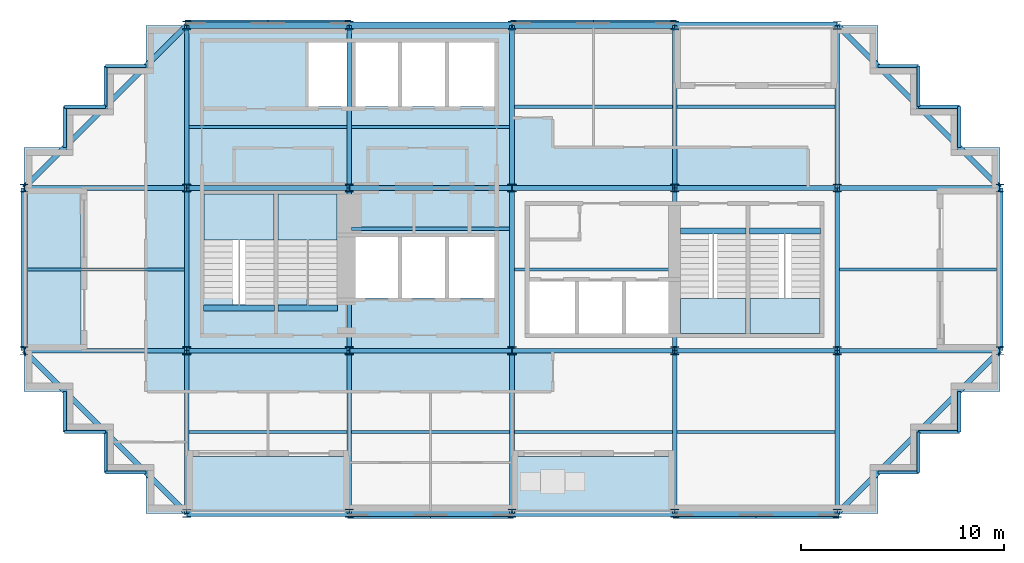
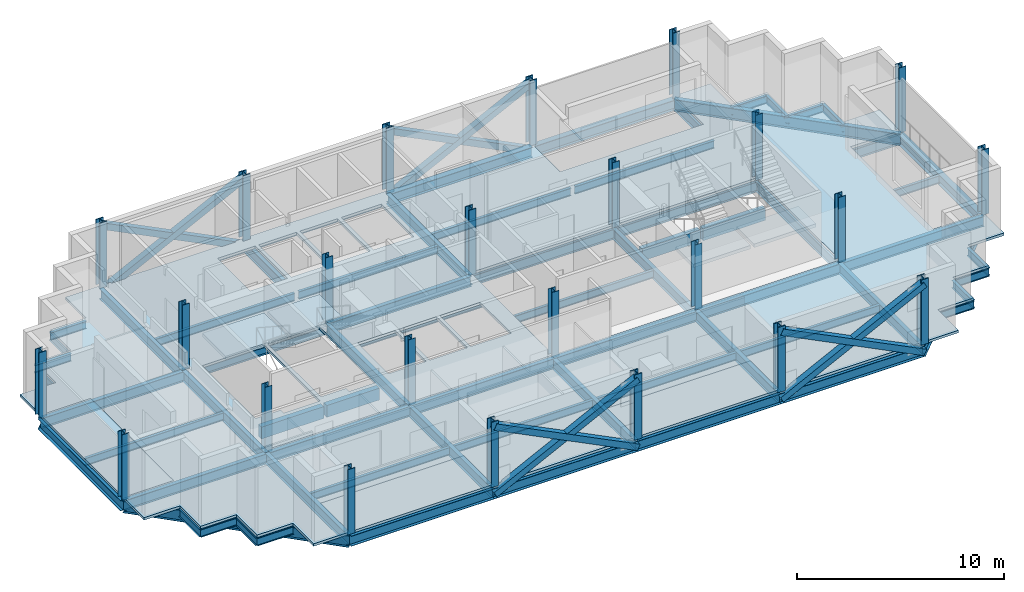
# One storey, part 1 of 8: 73 beams, 24 columns, 9 slabs, 8 members, 4 elements without a shape of their own.
"""IFC4 building model written with IfcOpenShell, lengths in metres."""

from ifc_helpers import new_model, si_unit, direction, frame, origin, origin_2d, place, context, subcontext, project, spatial, polyline, rectangle, hollow_rectangle, i_section, outline, extrude, material, layer, layer_set, material_profile, profile_set, type_object, element, aggregate, save


model = new_model("IFC4")

# Units and contexts
model_context = context("Model", 3, precision=1e-05, world=origin(), true_north=direction((0.0, 1.0)))
body_context = subcontext(model_context, "Body", "Model", "MODEL_VIEW")
ifc_project = project(units=[si_unit("LENGTHUNIT", "METRE"), si_unit("AREAUNIT", "SQUARE_METRE"), si_unit("VOLUMEUNIT", "CUBIC_METRE"), si_unit("PLANEANGLEUNIT", "RADIAN"), si_unit("MASSUNIT", "GRAM", prefix="KILO")], contexts=[model_context])

# Site, building, storey
site_placement = place(None, origin())
site = spatial("IfcSite", under=ifc_project, at=site_placement, CompositionType="ELEMENT")
building_placement = place(site_placement, origin())
building = spatial("IfcBuilding", under=site, at=building_placement, Name="Immortelle Media Tower", CompositionType="ELEMENT")
storey_placement = place(building_placement, frame((0.0, 0.0, 193.0)))
storey = spatial("IfcBuildingStorey", under=building, at=storey_placement, Name="L40", CompositionType="ELEMENT", Elevation=193.0)

# Columns
ifc_material_1 = material(Name="Steel ASTM A992 Gr 50", Category="steel")
ifc_material_profile_1 = material_profile(ifc_material_1, i_section(OverallWidth=0.39404296875, OverallDepth=0.3759765625, WebThickness=0.01708984375, FlangeThickness=0.028076171875, at=origin_2d()), Name="W14x145")
ifc_profile_set_1 = profile_set([ifc_material_profile_1], Name="Steel ASTM A992 Gr 50")
column_type_1 = type_object("IfcColumnType", Name="W14x145 column", PredefinedType="COLUMN", material=ifc_profile_set_1)
for number, where, z_axis, x_axis, name in (
    (1, (8.0, 8.0, 0.0), (0.0, 0.0, 1.0), (1.0, 0.0, 0.0), "Column 2/B"),
    (2, (8.0, 16.0, 0.0), (0.0, 0.0, 1.0), (1.0, 0.0, 0.0), "Column 2/C"),
    (3, (16.0, 8.0, 0.0), (0.0, 0.0, 1.0), (1.0, 0.0, 0.0), "Column 3/B"),
    (4, (16.0, 16.0, 0.0), (0.0, 0.0, 1.0), (1.0, 0.0, 0.0), "Column 3/C"),
    (5, (32.0, 8.0, 0.0), (0.0, 0.0, 1.0), (1.0, 0.0, 0.0), "Column 5/B"),
    (6, (32.0, 16.0, 0.0), (0.0, 0.0, 1.0), (1.0, 0.0, 0.0), "Column 5/C"),
    (7, (40.0, 8.0, 0.0), (0.0, 0.0, 1.0), (1.0, 0.0, 0.0), "Column 6/B"),
    (8, (40.0, 16.0, 0.0), (0.0, 0.0, 1.0), (1.0, 0.0, 0.0), "Column 6/C"),
):
    element("IfcColumn", number, at=place(storey_placement, frame(where, z_axis=z_axis, x_axis=x_axis)), inside=storey, type_object=column_type_1, Name=name, PredefinedType="COLUMN", context=body_context, shape_type="SweptSolid", body=[
        extrude(i_section(OverallWidth=0.39404296875, OverallDepth=0.3759765625, WebThickness=0.01708984375, FlangeThickness=0.028076171875, at=origin_2d()), origin(), (0.0, 0.0, 1.0), 3.85009765625),
    ])
ifc_material_profile_2 = material_profile(ifc_material_1, i_section(OverallWidth=0.39892578125, OverallDepth=0.385986328125, WebThickness=0.02099609375, FlangeThickness=0.032958984375, at=origin_2d()), Name="W14x176")
ifc_profile_set_2 = profile_set([ifc_material_profile_2], Name="Steel ASTM A992 Gr 50")
column_type_2 = type_object("IfcColumnType", Name="W14x176 column", PredefinedType="COLUMN", material=ifc_profile_set_2)
for number, where, z_axis, x_axis, name in (
    (9, (24.0, 8.0, 0.0), (0.0, 0.0, 1.0), (1.0, 0.0, 0.0), "Column 4/B"),
    (10, (24.0, 16.0, 0.0), (0.0, 0.0, 1.0), (1.0, 0.0, 0.0), "Column 4/C"),
):
    element("IfcColumn", number, at=place(storey_placement, frame(where, z_axis=z_axis, x_axis=x_axis)), inside=storey, type_object=column_type_2, Name=name, PredefinedType="COLUMN", context=body_context, shape_type="SweptSolid", body=[
        extrude(i_section(OverallWidth=0.39892578125, OverallDepth=0.385986328125, WebThickness=0.02099609375, FlangeThickness=0.032958984375, at=origin_2d()), origin(), (0.0, 0.0, 1.0), 3.85009765625),
    ])
ifc_material_profile_3 = material_profile(ifc_material_1, i_section(OverallWidth=0.40087890625, OverallDepth=0.39892578125, WebThickness=0.02490234375, FlangeThickness=0.0400390625, at=origin_2d()), Name="W14x211")
ifc_profile_set_3 = profile_set([ifc_material_profile_3], Name="Steel ASTM A992 Gr 50")
column_type_3 = type_object("IfcColumnType", Name="W14x211 column", PredefinedType="COLUMN", material=ifc_profile_set_3)
for number, where, z_axis, x_axis, name in (
    (11, (0.0, 8.0, 0.0), (0.0, 0.0, 1.0), (1.0, 0.0, 0.0), "Column 1/B"),
    (12, (0.0, 16.0, 0.0), (0.0, 0.0, 1.0), (1.0, 0.0, 0.0), "Column 1/C"),
    (13, (8.0, 0.0, 0.0), (0.0, 0.0, 1.0), (1.0, 0.0, 0.0), "Column 2/A"),
    (14, (40.0, 24.0, 0.0), (0.0, 0.0, 1.0), (1.0, 0.0, 0.0), "Column 6/D"),
    (15, (48.0, 8.0, 0.0), (0.0, 0.0, 1.0), (1.0, 0.0, 0.0), "Column 7/B"),
    (16, (48.0, 16.0, 0.0), (0.0, 0.0, 1.0), (1.0, 0.0, 0.0), "Column 7/C"),
):
    element("IfcColumn", number, at=place(storey_placement, frame(where, z_axis=z_axis, x_axis=x_axis)), inside=storey, type_object=column_type_3, Name=name, PredefinedType="COLUMN", context=body_context, shape_type="SweptSolid", body=[
        extrude(i_section(OverallWidth=0.40087890625, OverallDepth=0.39892578125, WebThickness=0.02490234375, FlangeThickness=0.0400390625, at=origin_2d()), origin(), (0.0, 0.0, 1.0), 3.85009765625),
    ])
ifc_material_profile_4 = material_profile(ifc_material_1, i_section(OverallWidth=0.410888671875, OverallDepth=0.43408203125, WebThickness=0.035888671875, FlangeThickness=0.056884765625, at=origin_2d()), Name="W14x311")
ifc_profile_set_4 = profile_set([ifc_material_profile_4], Name="Steel ASTM A992 Gr 50")
column_type_4 = type_object("IfcColumnType", Name="W14x311 column", PredefinedType="COLUMN", material=ifc_profile_set_4)
for number, where, z_axis, x_axis, name in (
    (17, (8.0, 24.0, 0.0), (0.0, 0.0, 1.0), (1.0, 0.0, 0.0), "Column 2/D"),
    (18, (16.0, 0.0, 0.0), (0.0, 0.0, 1.0), (1.0, 0.0, 0.0), "Column 3/A"),
    (19, (16.0, 24.0, 0.0), (0.0, 0.0, 1.0), (1.0, 0.0, 0.0), "Column 3/D"),
    (20, (24.0, 0.0, 0.0), (0.0, 0.0, 1.0), (1.0, 0.0, 0.0), "Column 4/A"),
    (21, (24.0, 24.0, 0.0), (0.0, 0.0, 1.0), (1.0, 0.0, 0.0), "Column 4/D"),
    (22, (32.0, 0.0, 0.0), (0.0, 0.0, 1.0), (1.0, 0.0, 0.0), "Column 5/A"),
    (23, (32.0, 24.0, 0.0), (0.0, 0.0, 1.0), (1.0, 0.0, 0.0), "Column 5/D"),
    (24, (40.0, 0.0, 0.0), (0.0, 0.0, 1.0), (1.0, 0.0, 0.0), "Column 6/A"),
):
    element("IfcColumn", number, at=place(storey_placement, frame(where, z_axis=z_axis, x_axis=x_axis)), inside=storey, type_object=column_type_4, Name=name, PredefinedType="COLUMN", context=body_context, shape_type="SweptSolid", body=[
        extrude(i_section(OverallWidth=0.410888671875, OverallDepth=0.43408203125, WebThickness=0.035888671875, FlangeThickness=0.056884765625, at=origin_2d()), origin(), (0.0, 0.0, 1.0), 3.85009765625),
    ])

# Members
ifc_material_2 = material(Name="Steel ASTM A500 Gr C", Category="steel")
ifc_material_profile_5 = material_profile(ifc_material_2, hollow_rectangle(XDim=0.35595703125, YDim=0.35595703125, WallThickness=0.011962890625, at=origin_2d()), Name="HSS14x14x1/2 brace")
ifc_profile_set_5 = profile_set([ifc_material_profile_5], Name="Steel ASTM A500 Gr C")
member_type = type_object("IfcMemberType", Name="HSS14x14x1/2 brace", PredefinedType="BRACE", material=ifc_profile_set_5)
for number, where, z_axis, x_axis, name in (
    (25, (16.0, -0.087890625, -0.4560546875), (0.894427191, 0.0, 0.4472135955), (0.0, 1.0, 0.0), "Brace A/3-4 A"),
    (26, (16.0, -0.087890625, 3.5439453125), (0.894427191, 0.0, -0.4472135955), (0.0, 1.0, 0.0), "Brace A/3-4 B"),
    (27, (32.0, -0.087890625, -0.4560546875), (0.894427191, 0.0, 0.4472135955), (0.0, 1.0, 0.0), "Brace A/5-6 A"),
    (28, (32.0, -0.087890625, 3.5439453125), (0.894427191, 0.0, -0.4472135955), (0.0, 1.0, 0.0), "Brace A/5-6 B"),
    (29, (32.0, 24.087890625, -0.4560546875), (-0.894427191, 0.0, 0.4472135955), (0.0, -1.0, 0.0), "Brace D/4-5 A"),
    (30, (32.0, 24.087890625, 3.5439453125), (-0.894427191, 0.0, -0.4472135955), (0.0, -1.0, 0.0), "Brace D/4-5 B"),
    (31, (16.0, 24.087890625, -0.4560546875), (-0.894427191, 0.0, 0.4472135955), (0.0, -1.0, 0.0), "Brace D/2-3 A"),
    (32, (16.0, 24.087890625, 3.5439453125), (-0.894427191, 0.0, -0.4472135955), (0.0, -1.0, 0.0), "Brace D/2-3 B"),
):
    element("IfcMember", number, at=place(storey_placement, frame(where, z_axis=z_axis, x_axis=x_axis)), inside=storey, type_object=member_type, Name=name, PredefinedType="BRACE", context=body_context, shape_type="SweptSolid", body=[
        extrude(hollow_rectangle(XDim=0.35595703125, YDim=0.35595703125, WallThickness=0.011962890625, at=origin_2d()), origin(), (0.0, 0.0, 1.0), 8.9443359375),
    ])

# Beams
ifc_material_3 = material(Name="Concrete C50/60", Category="concrete")
ifc_material_profile_6 = material_profile(ifc_material_3, rectangle(XDim=0.300048828125, YDim=0.699951171875, at=origin_2d()), Name="RC 300x700")
ifc_profile_set_6 = profile_set([ifc_material_profile_6], Name="Concrete C50/60")
beam_type_1 = type_object("IfcBeamType", Name="Stair trimmer beam 300 x 700", PredefinedType="BEAM", material=ifc_profile_set_6)
beam_1_placement = place(storey_placement, frame((8.830078125, 10.10498046875, -0.5), z_axis=(1.0, 0.0, 0.0), x_axis=(0.0, 1.0, 0.0)))
element("IfcBeam", 33, at=beam_1_placement, inside=storey, type_object=beam_type_1, Name="Stair trimmer beam SW1", PredefinedType="BEAM", context=body_context, shape_type="SweptSolid", body=[
    extrude(rectangle(XDim=0.300048828125, YDim=0.699951171875, at=origin_2d()), origin(), (0.0, 0.0, 1.0), 3.489990234375),
])
beam_2_placement = place(storey_placement, frame((12.47998046875, 10.10498046875, -0.5), z_axis=(1.0, 0.0, 0.0), x_axis=(0.0, 1.0, 0.0)))
element("IfcBeam", 34, at=beam_2_placement, inside=storey, type_object=beam_type_1, Name="Stair trimmer beam SW2", PredefinedType="BEAM", context=body_context, shape_type="SweptSolid", body=[
    extrude(rectangle(XDim=0.300048828125, YDim=0.699951171875, at=origin_2d()), origin(), (0.0, 0.0, 1.0), 2.93994140625),
])
beam_3_placement = place(storey_placement, frame((32.280029296875, 13.89501953125, -0.5), z_axis=(1.0, 0.0, 0.0), x_axis=(0.0, 1.0, 0.0)))
element("IfcBeam", 35, at=beam_3_placement, inside=storey, type_object=beam_type_1, Name="Stair trimmer beam SE1", PredefinedType="BEAM", context=body_context, shape_type="SweptSolid", body=[
    extrude(rectangle(XDim=0.300048828125, YDim=0.699951171875, at=origin_2d()), origin(), (0.0, 0.0, 1.0), 3.239990234375),
])
beam_4_placement = place(storey_placement, frame((35.679931640625, 13.89501953125, -0.5), z_axis=(1.0, 0.0, 0.0), x_axis=(0.0, 1.0, 0.0)))
element("IfcBeam", 36, at=beam_4_placement, inside=storey, type_object=beam_type_1, Name="Stair trimmer beam SE2", PredefinedType="BEAM", context=body_context, shape_type="SweptSolid", body=[
    extrude(rectangle(XDim=0.300048828125, YDim=0.699951171875, at=origin_2d()), origin(), (0.0, 0.0, 1.0), 3.489990234375),
])
ifc_material_profile_7 = material_profile(ifc_material_1, i_section(OverallWidth=0.153076171875, OverallDepth=0.455078125, WebThickness=0.008056640625, FlangeThickness=0.012939453125, at=origin_2d()), Name="W18x40")
ifc_profile_set_7 = profile_set([ifc_material_profile_7], Name="Steel ASTM A992 Gr 50")
beam_type_2 = type_object("IfcBeamType", Name="W18x40 secondary beam", PredefinedType="JOIST", material=ifc_profile_set_7)
for number, where, z_axis, x_axis, name in (
    (37, (8.114013671875, 4.0, -0.37744140625), (1.0, 0.0, 0.0), (0.0, 1.0, 0.0), "Beam A-B/2-3"),
    (38, (16.114013671875, 4.0, -0.37744140625), (1.0, 0.0, 0.0), (0.0, 1.0, 0.0), "Beam A-B/3-4"),
    (39, (24.114013671875, 4.0, -0.37744140625), (1.0, 0.0, 0.0), (0.0, 1.0, 0.0), "Beam A-B/4-5"),
    (40, (32.114013671875, 4.0, -0.37744140625), (1.0, 0.0, 0.0), (0.0, 1.0, 0.0), "Beam A-B/5-6"),
):
    element("IfcBeam", number, at=place(storey_placement, frame(where, z_axis=z_axis, x_axis=x_axis)), inside=storey, type_object=beam_type_2, Name=name, PredefinedType="JOIST", context=body_context, shape_type="SweptSolid", body=[
        extrude(i_section(OverallWidth=0.153076171875, OverallDepth=0.455078125, WebThickness=0.008056640625, FlangeThickness=0.012939453125, at=origin_2d()), origin(), (0.0, 0.0, 1.0), 7.77197265625),
    ])
beam_5_placement = place(storey_placement, frame((0.162109375, 12.0, -0.37744140625), z_axis=(1.0, 0.0, 0.0), x_axis=(0.0, 1.0, 0.0)))
element("IfcBeam", 41, at=beam_5_placement, inside=storey, type_object=beam_type_2, Name="Beam B-C/1-2", PredefinedType="JOIST", context=body_context, shape_type="SweptSolid", body=[
    extrude(i_section(OverallWidth=0.153076171875, OverallDepth=0.455078125, WebThickness=0.008056640625, FlangeThickness=0.012939453125, at=origin_2d()), origin(), (0.0, 0.0, 1.0), 7.723876953125),
])
for number, where, z_axis, x_axis, name in (
    (42, (16.114013671875, 14.0, -0.37744140625), (1.0, 0.0, 0.0), (0.0, 1.0, 0.0), "Beam B-C/3-4"),
    (43, (24.114013671875, 12.0, -0.37744140625), (1.0, 0.0, 0.0), (0.0, 1.0, 0.0), "Beam B-C/4-5"),
):
    element("IfcBeam", number, at=place(storey_placement, frame(where, z_axis=z_axis, x_axis=x_axis)), inside=storey, type_object=beam_type_2, Name=name, PredefinedType="JOIST", context=body_context, shape_type="SweptSolid", body=[
        extrude(i_section(OverallWidth=0.153076171875, OverallDepth=0.455078125, WebThickness=0.008056640625, FlangeThickness=0.012939453125, at=origin_2d()), origin(), (0.0, 0.0, 1.0), 7.77197265625),
    ])
beam_6_placement = place(storey_placement, frame((40.114013671875, 12.0, -0.37744140625), z_axis=(1.0, 0.0, 0.0), x_axis=(0.0, 1.0, 0.0)))
element("IfcBeam", 44, at=beam_6_placement, inside=storey, type_object=beam_type_2, Name="Beam B-C/6-7", PredefinedType="JOIST", context=body_context, shape_type="SweptSolid", body=[
    extrude(i_section(OverallWidth=0.153076171875, OverallDepth=0.455078125, WebThickness=0.008056640625, FlangeThickness=0.012939453125, at=origin_2d()), origin(), (0.0, 0.0, 1.0), 7.723876953125),
])
for number, where, z_axis, x_axis, name in (
    (45, (8.114013671875, 19.0, -0.37744140625), (1.0, 0.0, 0.0), (0.0, 1.0, 0.0), "Beam C-D/2-3"),
    (46, (16.114013671875, 19.0, -0.37744140625), (1.0, 0.0, 0.0), (0.0, 1.0, 0.0), "Beam C-D/3-4"),
    (47, (24.114013671875, 20.0, -0.37744140625), (1.0, 0.0, 0.0), (0.0, 1.0, 0.0), "Beam C-D/4-5"),
    (48, (32.114013671875, 20.0, -0.37744140625), (1.0, 0.0, 0.0), (0.0, 1.0, 0.0), "Beam C-D/5-6"),
):
    element("IfcBeam", number, at=place(storey_placement, frame(where, z_axis=z_axis, x_axis=x_axis)), inside=storey, type_object=beam_type_2, Name=name, PredefinedType="JOIST", context=body_context, shape_type="SweptSolid", body=[
        extrude(i_section(OverallWidth=0.153076171875, OverallDepth=0.455078125, WebThickness=0.008056640625, FlangeThickness=0.012939453125, at=origin_2d()), origin(), (0.0, 0.0, 1.0), 7.77197265625),
    ])
ifc_material_profile_8 = material_profile(ifc_material_1, i_section(OverallWidth=0.153076171875, OverallDepth=0.455078125, WebThickness=0.008056640625, FlangeThickness=0.012939453125, at=origin_2d()), Name="W18x40")
ifc_profile_set_8 = profile_set([ifc_material_profile_8], Name="Steel ASTM A992 Gr 50")
beam_type_3 = type_object("IfcBeamType", Name="W18x40 serration edge beam", PredefinedType="SPANDREL", material=ifc_profile_set_8)
for number, where, z_axis, x_axis, name in (
    (49, (6.0, 2.0, -0.37744140625), (-1.0, 0.0, 0.0), (0.0, -1.0, 0.0), "Corner edge beam 1 at 1/A"),
    (50, (4.0, 2.0, -0.37744140625), (0.0, 1.0, 0.0), (-1.0, 0.0, 0.0), "Corner edge beam 2 at 1/A"),
    (51, (4.0, 4.0, -0.37744140625), (-1.0, 0.0, 0.0), (0.0, -1.0, 0.0), "Corner edge beam 3 at 1/A"),
    (52, (2.0, 4.0, -0.37744140625), (0.0, 1.0, 0.0), (-1.0, 0.0, 0.0), "Corner edge beam 4 at 1/A"),
    (53, (2.0, 18.0, -0.37744140625), (0.0, 1.0, 0.0), (-1.0, 0.0, 0.0), "Corner edge beam 1 at 1/D"),
    (54, (2.0, 20.0, -0.37744140625), (1.0, 0.0, 0.0), (0.0, 1.0, 0.0), "Corner edge beam 2 at 1/D"),
    (55, (4.0, 20.0, -0.37744140625), (0.0, 1.0, 0.0), (-1.0, 0.0, 0.0), "Corner edge beam 3 at 1/D"),
    (56, (4.0, 22.0, -0.37744140625), (1.0, 0.0, 0.0), (0.0, 1.0, 0.0), "Corner edge beam 4 at 1/D"),
    (57, (46.0, 6.0, -0.37744140625), (0.0, -1.0, 0.0), (1.0, 0.0, 0.0), "Corner edge beam 1 at 7/A"),
    (58, (46.0, 4.0, -0.37744140625), (-1.0, 0.0, 0.0), (0.0, -1.0, 0.0), "Corner edge beam 2 at 7/A"),
    (59, (44.0, 4.0, -0.37744140625), (0.0, -1.0, 0.0), (1.0, 0.0, 0.0), "Corner edge beam 3 at 7/A"),
    (60, (44.0, 2.0, -0.37744140625), (-1.0, 0.0, 0.0), (0.0, -1.0, 0.0), "Corner edge beam 4 at 7/A"),
    (61, (42.0, 22.0, -0.37744140625), (1.0, 0.0, 0.0), (0.0, 1.0, 0.0), "Corner edge beam 1 at 7/D"),
    (62, (44.0, 22.0, -0.37744140625), (0.0, -1.0, 0.0), (1.0, 0.0, 0.0), "Corner edge beam 2 at 7/D"),
    (63, (44.0, 20.0, -0.37744140625), (1.0, 0.0, 0.0), (0.0, 1.0, 0.0), "Corner edge beam 3 at 7/D"),
    (64, (46.0, 20.0, -0.37744140625), (0.0, -1.0, 0.0), (1.0, 0.0, 0.0), "Corner edge beam 4 at 7/D"),
):
    element("IfcBeam", number, at=place(storey_placement, frame(where, z_axis=z_axis, x_axis=x_axis)), inside=storey, type_object=beam_type_3, Name=name, PredefinedType="SPANDREL", context=body_context, shape_type="SweptSolid", body=[
        extrude(i_section(OverallWidth=0.153076171875, OverallDepth=0.455078125, WebThickness=0.008056640625, FlangeThickness=0.012939453125, at=origin_2d()), origin(), (0.0, 0.0, 1.0), 2.0),
    ])
ifc_material_profile_9 = material_profile(ifc_material_1, i_section(OverallWidth=0.323974609375, OverallDepth=0.612060546875, WebThickness=0.012939453125, FlangeThickness=0.01904296875, at=origin_2d()), Name="W24x104")
ifc_profile_set_9 = profile_set([ifc_material_profile_9], Name="Steel ASTM A992 Gr 50")
beam_type_4 = type_object("IfcBeamType", Name="W24x104 perimeter girder", PredefinedType="SPANDREL", material=ifc_profile_set_9)
for number, where, z_axis, x_axis, name in (
    (65, (0.0, 8.0, -0.4560546875), (0.0, 1.0, 0.0), (-1.0, 0.0, 0.0), "Girder 1/B-C"),
    (66, (8.0, 0.0, -0.4560546875), (1.0, 0.0, 0.0), (0.0, 1.0, 0.0), "Girder A/2-3"),
    (67, (8.0, 24.0, -0.4560546875), (1.0, 0.0, 0.0), (0.0, 1.0, 0.0), "Girder D/2-3"),
    (68, (16.0, 0.0, -0.4560546875), (1.0, 0.0, 0.0), (0.0, 1.0, 0.0), "Girder A/3-4"),
    (69, (16.0, 24.0, -0.4560546875), (1.0, 0.0, 0.0), (0.0, 1.0, 0.0), "Girder D/3-4"),
    (70, (24.0, 0.0, -0.4560546875), (1.0, 0.0, 0.0), (0.0, 1.0, 0.0), "Girder A/4-5"),
    (71, (24.0, 24.0, -0.4560546875), (1.0, 0.0, 0.0), (0.0, 1.0, 0.0), "Girder D/4-5"),
    (72, (32.0, 0.0, -0.4560546875), (1.0, 0.0, 0.0), (0.0, 1.0, 0.0), "Girder A/5-6"),
    (73, (32.0, 24.0, -0.4560546875), (1.0, 0.0, 0.0), (0.0, 1.0, 0.0), "Girder D/5-6"),
    (74, (48.0, 8.0, -0.4560546875), (0.0, 1.0, 0.0), (-1.0, 0.0, 0.0), "Girder 7/B-C"),
):
    element("IfcBeam", number, at=place(storey_placement, frame(where, z_axis=z_axis, x_axis=x_axis)), inside=storey, type_object=beam_type_4, Name=name, PredefinedType="SPANDREL", context=body_context, shape_type="SweptSolid", body=[
        extrude(i_section(OverallWidth=0.323974609375, OverallDepth=0.612060546875, WebThickness=0.012939453125, FlangeThickness=0.01904296875, at=origin_2d()), origin(), (0.0, 0.0, 1.0), 8.0),
    ])
ifc_material_profile_10 = material_profile(ifc_material_1, i_section(OverallWidth=0.22802734375, OverallDepth=0.60205078125, WebThickness=0.010986328125, FlangeThickness=0.014892578125, at=origin_2d()), Name="W24x68")
ifc_profile_set_10 = profile_set([ifc_material_profile_10], Name="Steel ASTM A992 Gr 50")
beam_type_5 = type_object("IfcBeamType", Name="W24x68 girder", PredefinedType="BEAM", material=ifc_profile_set_10)
for number, where, z_axis, x_axis, name in (
    (75, (0.0, 8.0, -0.450927734375), (1.0, 0.0, 0.0), (0.0, 1.0, 0.0), "Girder B/1-2"),
    (76, (0.0, 16.0, -0.450927734375), (1.0, 0.0, 0.0), (0.0, 1.0, 0.0), "Girder C/1-2"),
    (77, (8.0, 0.0, -0.450927734375), (0.0, 1.0, 0.0), (-1.0, 0.0, 0.0), "Girder 2/A-B"),
    (78, (8.0, 8.0, -0.450927734375), (1.0, 0.0, 0.0), (0.0, 1.0, 0.0), "Girder B/2-3"),
    (79, (8.0, 8.0, -0.450927734375), (0.0, 1.0, 0.0), (-1.0, 0.0, 0.0), "Girder 2/B-C"),
    (80, (8.0, 16.0, -0.450927734375), (1.0, 0.0, 0.0), (0.0, 1.0, 0.0), "Girder C/2-3"),
    (81, (8.0, 16.0, -0.450927734375), (0.0, 1.0, 0.0), (-1.0, 0.0, 0.0), "Girder 2/C-D"),
    (82, (16.0, 0.0, -0.450927734375), (0.0, 1.0, 0.0), (-1.0, 0.0, 0.0), "Girder 3/A-B"),
    (83, (16.0, 8.0, -0.450927734375), (1.0, 0.0, 0.0), (0.0, 1.0, 0.0), "Girder B/3-4"),
    (84, (16.0, 8.0, -0.450927734375), (0.0, 1.0, 0.0), (-1.0, 0.0, 0.0), "Girder 3/B-C"),
    (85, (16.0, 16.0, -0.450927734375), (1.0, 0.0, 0.0), (0.0, 1.0, 0.0), "Girder C/3-4"),
    (86, (16.0, 16.0, -0.450927734375), (0.0, 1.0, 0.0), (-1.0, 0.0, 0.0), "Girder 3/C-D"),
    (87, (24.0, 0.0, -0.450927734375), (0.0, 1.0, 0.0), (-1.0, 0.0, 0.0), "Girder 4/A-B"),
    (88, (24.0, 8.0, -0.450927734375), (1.0, 0.0, 0.0), (0.0, 1.0, 0.0), "Girder B/4-5"),
    (89, (24.0, 8.0, -0.450927734375), (0.0, 1.0, 0.0), (-1.0, 0.0, 0.0), "Girder 4/B-C"),
    (90, (24.0, 16.0, -0.450927734375), (1.0, 0.0, 0.0), (0.0, 1.0, 0.0), "Girder C/4-5"),
    (91, (24.0, 16.0, -0.450927734375), (0.0, 1.0, 0.0), (-1.0, 0.0, 0.0), "Girder 4/C-D"),
    (92, (32.0, 0.0, -0.450927734375), (0.0, 1.0, 0.0), (-1.0, 0.0, 0.0), "Girder 5/A-B"),
    (93, (32.0, 8.0, -0.450927734375), (1.0, 0.0, 0.0), (0.0, 1.0, 0.0), "Girder B/5-6"),
    (94, (32.0, 8.0, -0.450927734375), (0.0, 1.0, 0.0), (-1.0, 0.0, 0.0), "Girder 5/B-C"),
    (95, (32.0, 16.0, -0.450927734375), (1.0, 0.0, 0.0), (0.0, 1.0, 0.0), "Girder C/5-6"),
    (96, (32.0, 16.0, -0.450927734375), (0.0, 1.0, 0.0), (-1.0, 0.0, 0.0), "Girder 5/C-D"),
    (97, (40.0, 0.0, -0.450927734375), (0.0, 1.0, 0.0), (-1.0, 0.0, 0.0), "Girder 6/A-B"),
    (98, (40.0, 8.0, -0.450927734375), (1.0, 0.0, 0.0), (0.0, 1.0, 0.0), "Girder B/6-7"),
    (99, (40.0, 8.0, -0.450927734375), (0.0, 1.0, 0.0), (-1.0, 0.0, 0.0), "Girder 6/B-C"),
    (100, (40.0, 16.0, -0.450927734375), (1.0, 0.0, 0.0), (0.0, 1.0, 0.0), "Girder C/6-7"),
    (101, (40.0, 16.0, -0.450927734375), (0.0, 1.0, 0.0), (-1.0, 0.0, 0.0), "Girder 6/C-D"),
):
    element("IfcBeam", number, at=place(storey_placement, frame(where, z_axis=z_axis, x_axis=x_axis)), inside=storey, type_object=beam_type_5, Name=name, PredefinedType="BEAM", context=body_context, shape_type="SweptSolid", body=[
        extrude(i_section(OverallWidth=0.22802734375, OverallDepth=0.60205078125, WebThickness=0.010986328125, FlangeThickness=0.014892578125, at=origin_2d()), origin(), (0.0, 0.0, 1.0), 8.0),
    ])
ifc_material_profile_11 = material_profile(ifc_material_1, i_section(OverallWidth=0.257080078125, OverallDepth=0.693115234375, WebThickness=0.013916015625, FlangeThickness=0.02392578125, at=origin_2d()), Name="W27x114")
ifc_profile_set_11 = profile_set([ifc_material_profile_11], Name="Steel ASTM A992 Gr 50")
beam_type_6 = type_object("IfcBeamType", Name="W27x114 corner girder", PredefinedType="SPANDREL", material=ifc_profile_set_11)
for number, where, z_axis, x_axis, name in (
    (102, (8.0, 0.0, -0.49658203125), (-0.707106781187, 0.707106781187, 0.0), (-0.707106781187, -0.707106781187, 0.0), "Corner girder at 1/A"),
    (103, (0.0, 16.0, -0.49658203125), (0.707106781187, 0.707106781187, 0.0), (-0.707106781187, 0.707106781187, 0.0), "Corner girder at 1/D"),
    (104, (48.0, 8.0, -0.49658203125), (-0.707106781187, -0.707106781187, 0.0), (0.707106781187, -0.707106781187, 0.0), "Corner girder at 7/A"),
    (105, (40.0, 24.0, -0.49658203125), (0.707106781187, -0.707106781187, 0.0), (0.707106781187, 0.707106781187, 0.0), "Corner girder at 7/D"),
):
    element("IfcBeam", number, at=place(storey_placement, frame(where, z_axis=z_axis, x_axis=x_axis)), inside=storey, type_object=beam_type_6, Name=name, PredefinedType="SPANDREL", context=body_context, shape_type="SweptSolid", body=[
        extrude(i_section(OverallWidth=0.257080078125, OverallDepth=0.693115234375, WebThickness=0.013916015625, FlangeThickness=0.02392578125, at=origin_2d()), origin(), (0.0, 0.0, 1.0), 11.313720703125),
    ])

# Slabs
ifc_material_4 = material(Name="Concrete C50/60 composite deck", Category="concrete")
ifc_layer_1 = layer(ifc_material_4, 0.14990234375)
ifc_layer_set_1 = layer_set([ifc_layer_1], Name="Concrete C50/60 composite deck")
slab_type_1 = type_object("IfcSlabType", Name="Balcony slab 150", PredefinedType="FLOOR", material=ifc_layer_set_1)
slab_1_placement = place(storey_placement, frame((0.0, 0.0, -0.14990234375)))
element("IfcSlab", 106, at=slab_1_placement, inside=storey, type_object=slab_type_1, Name="Balcony slab L40 S0", PredefinedType="FLOOR", context=body_context, shape_type="SweptSolid", body=[
    extrude(outline(polyline([(16.0, 0.0), (16.0, 2.800048828125), (8.0, 2.800048828125), (8.0, 0.0), (16.0, 0.0)])), origin(), (0.0, 0.0, 1.0), 0.14990234375),
])
slab_2_placement = place(storey_placement, frame((0.0, 0.0, -0.14990234375)))
element("IfcSlab", 107, at=slab_2_placement, inside=storey, type_object=slab_type_1, Name="Balcony slab L40 S2", PredefinedType="FLOOR", context=body_context, shape_type="SweptSolid", body=[
    extrude(outline(polyline([(32.0, 0.0), (32.0, 2.800048828125), (24.0, 2.800048828125), (24.0, 0.0), (32.0, 0.0)])), origin(), (0.0, 0.0, 1.0), 0.14990234375),
])
slab_3_placement = place(storey_placement, frame((0.0, 0.0, -0.14990234375)))
element("IfcSlab", 108, at=slab_3_placement, inside=storey, type_object=slab_type_1, Name="Balcony slab L40 W0", PredefinedType="FLOOR", context=body_context, shape_type="SweptSolid", body=[
    extrude(outline(polyline([(2.800048828125, 8.0), (2.800048828125, 16.0), (0.0, 16.0), (0.0, 8.0), (2.800048828125, 8.0)])), origin(), (0.0, 0.0, 1.0), 0.14990234375),
])
ifc_layer_2 = layer(ifc_material_3, 0.14990234375)
ifc_layer_set_2 = layer_set([ifc_layer_2], Name="Concrete C50/60")
slab_type_2 = type_object("IfcSlabType", Name="Composite floor slab 150", PredefinedType="FLOOR", material=ifc_layer_set_2)
slab_4_placement = place(storey_placement, frame((0.0, 0.0, -0.14990234375)))
element("IfcSlab", 109, at=slab_4_placement, inside=storey, type_object=slab_type_2, Name="Floor slab L40", PredefinedType="FLOOR", context=body_context, shape_type="SweptSolid", body=[
    extrude(outline(polyline([(6.0, 0.0), (6.0, 2.0), (4.0, 2.0), (4.0, 4.0), (2.0, 4.0), (2.0, 6.0), (0.0, 6.0), (0.0, 8.0), (2.800048828125, 8.0), (2.800048828125, 16.0), (0.0, 16.0), (0.0, 18.0), (2.0, 18.0), (2.0, 20.0), (4.0, 20.0), (4.0, 22.0), (6.0, 22.0), (6.0, 24.0), (8.0, 24.0), (8.0, 8.0), (24.0, 8.0), (40.0, 8.0), (40.0, 16.0), (24.0, 16.0), (24.0, 21.199951171875), (24.0, 24.0), (32.0, 24.0), (32.0, 21.199951171875), (40.0, 21.199951171875), (40.0, 24.0), (42.0, 24.0), (42.0, 22.0), (44.0, 22.0), (44.0, 20.0), (46.0, 20.0), (46.0, 18.0), (48.0, 18.0), (48.0, 16.0), (45.199951171875, 16.0), (45.199951171875, 8.0), (48.0, 8.0), (48.0, 6.0), (46.0, 6.0), (46.0, 4.0), (44.0, 4.0), (44.0, 2.0), (42.0, 2.0), (42.0, 0.0), (32.0, 0.0), (32.0, 2.800048828125), (24.0, 2.800048828125), (24.0, 0.0), (16.0, 0.0), (16.0, 2.800048828125), (8.0, 2.800048828125), (8.0, 0.0), (6.0, 0.0)])), origin(), (0.0, 0.0, 1.0), 0.14990234375),
])
ifc_layer_3 = layer(ifc_material_3, 0.14990234375)
ifc_layer_set_3 = layer_set([ifc_layer_3], Name="Concrete C50/60")
slab_type_3 = type_object("IfcSlabType", Name="Core floor slab 150", PredefinedType="FLOOR", material=ifc_layer_set_3)
slab_5_placement = place(storey_placement, frame((0.0, 0.0, -0.14990234375)))
element("IfcSlab", 110, at=slab_5_placement, inside=storey, type_object=slab_type_3, Name="Core floor SW", PredefinedType="FLOOR", context=body_context, shape_type="SweptSolid", body=[
    extrude(outline(polyline([(8.0, 8.0), (24.0, 8.0), (24.0, 24.0), (8.0, 24.0), (8.0, 8.0)]), holes=[polyline([(14.0, 20.0), (16.10009765625, 20.0), (16.10009765625, 23.14990234375), (14.0, 23.14990234375), (14.0, 20.0)]), polyline([(16.300048828125, 20.0), (18.39990234375, 20.0), (18.39990234375, 23.14990234375), (16.300048828125, 23.14990234375), (16.300048828125, 20.0)]), polyline([(18.60009765625, 20.0), (20.699951171875, 20.0), (20.699951171875, 23.14990234375), (18.60009765625, 23.14990234375), (18.60009765625, 20.0)]), polyline([(20.89990234375, 20.0), (23.14990234375, 20.0), (23.14990234375, 23.14990234375), (20.89990234375, 23.14990234375), (20.89990234375, 20.0)]), polyline([(16.300048828125, 10.60009765625), (18.39990234375, 10.60009765625), (18.39990234375, 13.60009765625), (16.300048828125, 13.60009765625), (16.300048828125, 10.60009765625)]), polyline([(18.60009765625, 10.60009765625), (20.699951171875, 10.60009765625), (20.699951171875, 13.60009765625), (18.60009765625, 13.60009765625), (18.60009765625, 10.60009765625)]), polyline([(20.89990234375, 10.60009765625), (23.14990234375, 10.60009765625), (23.14990234375, 13.60009765625), (20.89990234375, 13.60009765625), (20.89990234375, 10.60009765625)]), polyline([(8.85009765625, 15.699951171875), (12.300048828125, 15.699951171875), (12.300048828125, 10.27001953125), (10.25, 10.27001953125), (10.25, 10.56005859375), (8.85009765625, 10.56005859375), (8.85009765625, 15.699951171875)]), polyline([(12.5, 15.699951171875), (15.39990234375, 15.699951171875), (15.39990234375, 10.27001953125), (13.89990234375, 10.27001953125), (13.89990234375, 10.56005859375), (12.5, 10.56005859375), (12.5, 15.699951171875)])]), origin(), (0.0, 0.0, 1.0), 0.14990234375),
])

# Stair, slab
stair_type = type_object("IfcStairType", Name="Stair with flights", PredefinedType="DOUBLE_RETURN_STAIR", material=ifc_material_1)
stair_1_placement = place(storey_placement, origin())
stair_1 = element("IfcStair", 111, at=stair_1_placement, inside=storey, type_object=stair_type, Name="Exit stair SW1", PredefinedType="DOUBLE_RETURN_STAIR")
ifc_material_5 = material(Name="Steel ASTM A572 Gr 50", Category="steel")
ifc_layer_4 = layer(ifc_material_5, 0.199951171875)
ifc_layer_set_4 = layer_set([ifc_layer_4], Name="Steel ASTM A572 Gr 50")
slab_type_4 = type_object("IfcSlabType", Name="Stair landing 200", PredefinedType="LANDING", material=ifc_layer_set_4)
slab_6_placement = place(storey_placement, frame((0.0, 0.0, 1.713134765625)))
slab_6 = element("IfcSlab", 112, at=slab_6_placement, type_object=slab_type_4, Name="ST SW1 landing 1", PredefinedType="LANDING", context=body_context, shape_type="SweptSolid", body=[
    extrude(outline(polyline([(8.85009765625, 13.43994140625), (12.300048828125, 13.43994140625), (12.300048828125, 15.699951171875), (8.85009765625, 15.699951171875), (8.85009765625, 13.43994140625)])), origin(), (0.0, 0.0, 1.0), 0.199951171875),
])
aggregate(stair_1, [slab_6])

stair_2_placement = place(storey_placement, origin())
stair_2 = element("IfcStair", 113, at=stair_2_placement, inside=storey, type_object=stair_type, Name="Exit stair SW2", PredefinedType="DOUBLE_RETURN_STAIR")
slab_7_placement = place(storey_placement, frame((0.0, 0.0, 1.713134765625)))
slab_7 = element("IfcSlab", 114, at=slab_7_placement, type_object=slab_type_4, Name="ST SW2 landing 1", PredefinedType="LANDING", context=body_context, shape_type="SweptSolid", body=[
    extrude(outline(polyline([(12.5, 13.43994140625), (15.39990234375, 13.43994140625), (15.39990234375, 15.699951171875), (12.5, 15.699951171875), (12.5, 13.43994140625)])), origin(), (0.0, 0.0, 1.0), 0.199951171875),
])
aggregate(stair_2, [slab_7])

stair_3_placement = place(storey_placement, origin())
stair_3 = element("IfcStair", 115, at=stair_3_placement, inside=storey, type_object=stair_type, Name="Exit stair SE1", PredefinedType="DOUBLE_RETURN_STAIR")
slab_8_placement = place(storey_placement, frame((0.0, 0.0, 1.713134765625)))
slab_8 = element("IfcSlab", 116, at=slab_8_placement, type_object=slab_type_4, Name="ST SE1 landing 1", PredefinedType="LANDING", context=body_context, shape_type="SweptSolid", body=[
    extrude(outline(polyline([(32.300048828125, 8.85009765625), (35.5, 8.85009765625), (35.5, 10.56005859375), (32.300048828125, 10.56005859375), (32.300048828125, 8.85009765625)])), origin(), (0.0, 0.0, 1.0), 0.199951171875),
])
aggregate(stair_3, [slab_8])

stair_4_placement = place(storey_placement, origin())
stair_4 = element("IfcStair", 117, at=stair_4_placement, inside=storey, type_object=stair_type, Name="Exit stair SE2", PredefinedType="DOUBLE_RETURN_STAIR")
slab_9_placement = place(storey_placement, frame((0.0, 0.0, 1.713134765625)))
slab_9 = element("IfcSlab", 118, at=slab_9_placement, type_object=slab_type_4, Name="ST SE2 landing 1", PredefinedType="LANDING", context=body_context, shape_type="SweptSolid", body=[
    extrude(outline(polyline([(35.699951171875, 8.85009765625), (39.14990234375, 8.85009765625), (39.14990234375, 10.56005859375), (35.699951171875, 10.56005859375), (35.699951171875, 8.85009765625)])), origin(), (0.0, 0.0, 1.0), 0.199951171875),
])
aggregate(stair_4, [slab_9])

save(model, "model.ifc")
